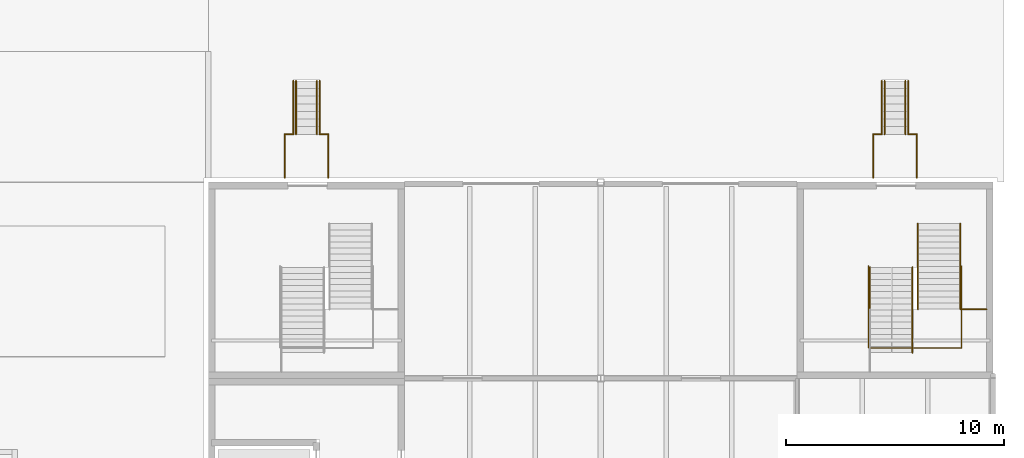
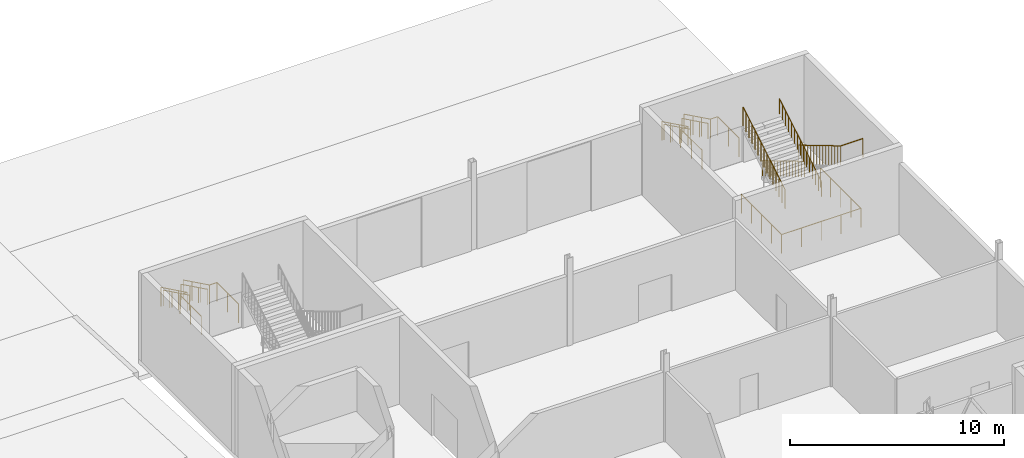
# One storey, part 62 of 63: 14 railings.
"""IFC4 building model written with IfcOpenShell, lengths in metres."""

from ifc_helpers import new_model, si_unit, direction, frame, origin, origin_2d, place, context, subcontext, project, spatial, circle, extrude, material, type_object, element, save


model = new_model("IFC4")

# Units and contexts
model_context = context("Model", 3, precision=1e-05, world=origin(), true_north=direction((0.0, 1.0)))
body_context = subcontext(model_context, "Body", "Model", "MODEL_VIEW")
ifc_project = project(units=[si_unit("LENGTHUNIT", "METRE"), si_unit("AREAUNIT", "SQUARE_METRE"), si_unit("VOLUMEUNIT", "CUBIC_METRE"), si_unit("PLANEANGLEUNIT", "RADIAN"), si_unit("MASSUNIT", "GRAM", prefix="KILO")], contexts=[model_context])

# Site, building, storey
site_placement = place(None, origin())
site = spatial("IfcSite", under=ifc_project, at=site_placement, CompositionType="ELEMENT")
building_placement = place(site_placement, origin())
building = spatial("IfcBuilding", under=site, at=building_placement, Name="Halyard Row Museum", CompositionType="ELEMENT")
storey_placement = place(building_placement, origin())
storey = spatial("IfcBuildingStorey", under=building, at=storey_placement, Name="L00", CompositionType="ELEMENT", Elevation=0.0)

# Railings
ifc_material_1 = material(Name="Steel Grade 300", Category="steel")
railing_type_1 = type_object("IfcRailingType", Name="Guard GR1 steel balustrade 1100", PredefinedType="GUARDRAIL", material=ifc_material_1)
railing_1_placement = place(storey_placement, frame((75.89990234375, 67.64990234375, -1.199951171875)))
element("IfcRailing", 1, at=railing_1_placement, inside=storey, type_object=railing_type_1, Name="Guard GR002", PredefinedType="GUARDRAIL", context=body_context, shape_type="SweptSolid", body=[
    extrude(circle(Radius=0.02392578125, at=origin_2d()), frame((0.0, 0.0, 1.076171875), z_axis=(0.0, -0.89806631535, 0.439860083702), x_axis=(1.0, 0.0, 0.0)), (0.0, 0.0, 1.0), 2.72802734375),
    extrude(circle(Radius=0.02392578125, at=origin_2d()), frame((0.0, -2.449951171875, 2.27587890625), z_axis=(-1.0, 0.0, 0.0), x_axis=(0.0, -1.0, 0.0)), (0.0, 0.0, 1.0), 0.39990234375),
    extrude(circle(Radius=0.02392578125, at=origin_2d()), frame((-0.39990234375, -2.449951171875, 2.27587890625), z_axis=(0.0, -1.0, 0.0), x_axis=(1.0, 0.0, 0.0)), (0.0, 0.0, 1.0), 2.0),
    extrude(circle(Radius=0.02099609375, at=origin_2d()), origin(), (0.0, 0.0, 1.0), 1.052001953125),
    extrude(circle(Radius=0.02099609375, at=origin_2d()), frame((0.0, -0.816650390625, 0.39990234375)), (0.0, 0.0, 1.0), 1.052001953125),
    extrude(circle(Radius=0.02099609375, at=origin_2d()), frame((0.0, -1.63330078125, 0.800048828125)), (0.0, 0.0, 1.0), 1.052001953125),
    extrude(circle(Radius=0.02099609375, at=origin_2d()), frame((0.0, -2.449951171875, 1.199951171875)), (0.0, 0.0, 1.0), 1.052001953125),
    extrude(circle(Radius=0.02099609375, at=origin_2d()), frame((-0.39990234375, -2.449951171875, 1.199951171875)), (0.0, 0.0, 1.0), 1.052001953125),
    extrude(circle(Radius=0.02099609375, at=origin_2d()), frame((-0.39990234375, -3.449951171875, 1.199951171875)), (0.0, 0.0, 1.0), 1.052001953125),
    extrude(circle(Radius=0.02099609375, at=origin_2d()), frame((-0.39990234375, -4.449951171875, 1.199951171875)), (0.0, 0.0, 1.0), 1.052001953125),
])
railing_2_placement = place(storey_placement, frame((77.10009765625, 67.64990234375, -1.199951171875)))
element("IfcRailing", 2, at=railing_2_placement, inside=storey, type_object=railing_type_1, Name="Guard GR003", PredefinedType="GUARDRAIL", context=body_context, shape_type="SweptSolid", body=[
    extrude(circle(Radius=0.02392578125, at=origin_2d()), frame((0.0, 0.0, 1.076171875), z_axis=(0.0, -0.89806631535, 0.439860083702), x_axis=(1.0, 0.0, 0.0)), (0.0, 0.0, 1.0), 2.72802734375),
    extrude(circle(Radius=0.02392578125, at=origin_2d()), frame((0.0, -2.449951171875, 2.27587890625), z_axis=(1.0, 0.0, 0.0), x_axis=(0.0, 1.0, 0.0)), (0.0, 0.0, 1.0), 0.39990234375),
    extrude(circle(Radius=0.02392578125, at=origin_2d()), frame((0.39990234375, -2.449951171875, 2.27587890625), z_axis=(0.0, -1.0, 0.0), x_axis=(1.0, 0.0, 0.0)), (0.0, 0.0, 1.0), 2.0),
    extrude(circle(Radius=0.02099609375, at=origin_2d()), origin(), (0.0, 0.0, 1.0), 1.052001953125),
    extrude(circle(Radius=0.02099609375, at=origin_2d()), frame((0.0, -0.816650390625, 0.39990234375)), (0.0, 0.0, 1.0), 1.052001953125),
    extrude(circle(Radius=0.02099609375, at=origin_2d()), frame((0.0, -1.63330078125, 0.800048828125)), (0.0, 0.0, 1.0), 1.052001953125),
    extrude(circle(Radius=0.02099609375, at=origin_2d()), frame((0.0, -2.449951171875, 1.199951171875)), (0.0, 0.0, 1.0), 1.052001953125),
    extrude(circle(Radius=0.02099609375, at=origin_2d()), frame((0.39990234375, -2.449951171875, 1.199951171875)), (0.0, 0.0, 1.0), 1.052001953125),
    extrude(circle(Radius=0.02099609375, at=origin_2d()), frame((0.39990234375, -3.449951171875, 1.199951171875)), (0.0, 0.0, 1.0), 1.052001953125),
    extrude(circle(Radius=0.02099609375, at=origin_2d()), frame((0.39990234375, -4.449951171875, 1.199951171875)), (0.0, 0.0, 1.0), 1.052001953125),
])
railing_3_placement = place(storey_placement, frame((102.89990234375, 67.64990234375, -1.199951171875)))
element("IfcRailing", 3, at=railing_3_placement, inside=storey, type_object=railing_type_1, Name="Guard GR004", PredefinedType="GUARDRAIL", context=body_context, shape_type="SweptSolid", body=[
    extrude(circle(Radius=0.02392578125, at=origin_2d()), frame((0.0, 0.0, 1.076171875), z_axis=(0.0, -0.89806631535, 0.439860083702), x_axis=(1.0, 0.0, 0.0)), (0.0, 0.0, 1.0), 2.72802734375),
    extrude(circle(Radius=0.02392578125, at=origin_2d()), frame((0.0, -2.449951171875, 2.27587890625), z_axis=(-1.0, 0.0, 0.0), x_axis=(0.0, -1.0, 0.0)), (0.0, 0.0, 1.0), 0.39990234375),
    extrude(circle(Radius=0.02392578125, at=origin_2d()), frame((-0.39990234375, -2.449951171875, 2.27587890625), z_axis=(0.0, -1.0, 0.0), x_axis=(1.0, 0.0, 0.0)), (0.0, 0.0, 1.0), 2.0),
    extrude(circle(Radius=0.02099609375, at=origin_2d()), origin(), (0.0, 0.0, 1.0), 1.052001953125),
    extrude(circle(Radius=0.02099609375, at=origin_2d()), frame((0.0, -0.816650390625, 0.39990234375)), (0.0, 0.0, 1.0), 1.052001953125),
    extrude(circle(Radius=0.02099609375, at=origin_2d()), frame((0.0, -1.63330078125, 0.800048828125)), (0.0, 0.0, 1.0), 1.052001953125),
    extrude(circle(Radius=0.02099609375, at=origin_2d()), frame((0.0, -2.449951171875, 1.199951171875)), (0.0, 0.0, 1.0), 1.052001953125),
    extrude(circle(Radius=0.02099609375, at=origin_2d()), frame((-0.39990234375, -2.449951171875, 1.199951171875)), (0.0, 0.0, 1.0), 1.052001953125),
    extrude(circle(Radius=0.02099609375, at=origin_2d()), frame((-0.39990234375, -3.449951171875, 1.199951171875)), (0.0, 0.0, 1.0), 1.052001953125),
    extrude(circle(Radius=0.02099609375, at=origin_2d()), frame((-0.39990234375, -4.449951171875, 1.199951171875)), (0.0, 0.0, 1.0), 1.052001953125),
])
railing_4_placement = place(storey_placement, frame((104.10009765625, 67.64990234375, -1.199951171875)))
element("IfcRailing", 4, at=railing_4_placement, inside=storey, type_object=railing_type_1, Name="Guard GR005", PredefinedType="GUARDRAIL", context=body_context, shape_type="SweptSolid", body=[
    extrude(circle(Radius=0.02392578125, at=origin_2d()), frame((0.0, 0.0, 1.076171875), z_axis=(0.0, -0.89806631535, 0.439860083702), x_axis=(1.0, 0.0, 0.0)), (0.0, 0.0, 1.0), 2.72802734375),
    extrude(circle(Radius=0.02392578125, at=origin_2d()), frame((0.0, -2.449951171875, 2.27587890625), z_axis=(1.0, 0.0, 0.0), x_axis=(0.0, 1.0, 0.0)), (0.0, 0.0, 1.0), 0.39990234375),
    extrude(circle(Radius=0.02392578125, at=origin_2d()), frame((0.39990234375, -2.449951171875, 2.27587890625), z_axis=(0.0, -1.0, 0.0), x_axis=(1.0, 0.0, 0.0)), (0.0, 0.0, 1.0), 2.0),
    extrude(circle(Radius=0.02099609375, at=origin_2d()), origin(), (0.0, 0.0, 1.0), 1.052001953125),
    extrude(circle(Radius=0.02099609375, at=origin_2d()), frame((0.0, -0.816650390625, 0.39990234375)), (0.0, 0.0, 1.0), 1.052001953125),
    extrude(circle(Radius=0.02099609375, at=origin_2d()), frame((0.0, -1.63330078125, 0.800048828125)), (0.0, 0.0, 1.0), 1.052001953125),
    extrude(circle(Radius=0.02099609375, at=origin_2d()), frame((0.0, -2.449951171875, 1.199951171875)), (0.0, 0.0, 1.0), 1.052001953125),
    extrude(circle(Radius=0.02099609375, at=origin_2d()), frame((0.39990234375, -2.449951171875, 1.199951171875)), (0.0, 0.0, 1.0), 1.052001953125),
    extrude(circle(Radius=0.02099609375, at=origin_2d()), frame((0.39990234375, -3.449951171875, 1.199951171875)), (0.0, 0.0, 1.0), 1.052001953125),
    extrude(circle(Radius=0.02099609375, at=origin_2d()), frame((0.39990234375, -4.449951171875, 1.199951171875)), (0.0, 0.0, 1.0), 1.052001953125),
])
ifc_material_2 = material(Name="Steel Grade 300", Category="steel")
railing_type_2 = type_object("IfcRailingType", Name="Guard GR2 steel balustrade 1100", PredefinedType="GUARDRAIL", material=ifc_material_2)
railing_5_placement = place(storey_placement, frame((106.5, 61.10009765625, 0.166748046875)))
element("IfcRailing", 5, at=railing_5_placement, inside=storey, type_object=railing_type_2, Name="Guard GR116", PredefinedType="GUARDRAIL", context=body_context, shape_type="SweptSolid", body=[
    extrude(circle(Radius=0.02392578125, at=origin_2d()), frame((0.0, 0.0, 1.076171875), z_axis=(0.0, -0.859535888021, 0.511075392877), x_axis=(1.0, 0.0, 0.0)), (0.0, 0.0, 1.0), 0.32568359375),
    extrude(circle(Radius=0.02392578125, at=origin_2d()), frame((0.0, -0.280029296875, 1.24267578125), z_axis=(0.0, -0.859206643714, 0.511628716353), x_axis=(1.0, 0.0, 0.0)), (0.0, 0.0, 1.0), 0.325927734375),
    extrude(circle(Radius=0.02392578125, at=origin_2d()), frame((0.0, -0.56005859375, 1.4091796875), z_axis=(0.0, -0.859206643714, 0.511628716353), x_axis=(1.0, 0.0, 0.0)), (0.0, 0.0, 1.0), 0.325927734375),
    extrude(circle(Radius=0.02392578125, at=origin_2d()), frame((0.0, -0.840087890625, 1.576171875), z_axis=(0.0, -0.859535888021, 0.511075392877), x_axis=(1.0, 0.0, 0.0)), (0.0, 0.0, 1.0), 0.32568359375),
    extrude(circle(Radius=0.02392578125, at=origin_2d()), frame((0.0, -1.1201171875, 1.74267578125), z_axis=(0.0, -0.859206643714, 0.511628716353), x_axis=(1.0, 0.0, 0.0)), (0.0, 0.0, 1.0), 0.325927734375),
    extrude(circle(Radius=0.02392578125, at=origin_2d()), frame((0.0, -1.400146484375, 1.9091796875), z_axis=(0.0, -0.859206643714, 0.511628716353), x_axis=(1.0, 0.0, 0.0)), (0.0, 0.0, 1.0), 0.325927734375),
    extrude(circle(Radius=0.02392578125, at=origin_2d()), frame((0.0, -1.68017578125, 2.076171875), z_axis=(0.0, -0.859535888021, 0.511075392877), x_axis=(1.0, 0.0, 0.0)), (0.0, 0.0, 1.0), 0.32568359375),
    extrude(circle(Radius=0.02392578125, at=origin_2d()), frame((0.0, -1.960205078125, 2.24267578125), z_axis=(0.0, -0.859010369412, 0.511958187006), x_axis=(1.0, 0.0, 0.0)), (0.0, 0.0, 1.0), 0.32568359375),
    extrude(circle(Radius=0.02392578125, at=origin_2d()), frame((0.0, -2.239990234375, 2.4091796875), z_axis=(0.0, -0.859206643714, 0.511628716353), x_axis=(1.0, 0.0, 0.0)), (0.0, 0.0, 1.0), 0.325927734375),
    extrude(circle(Radius=0.02392578125, at=origin_2d()), frame((0.0, -2.52001953125, 2.576171875), z_axis=(0.0, -0.859535888021, 0.511075392877), x_axis=(1.0, 0.0, 0.0)), (0.0, 0.0, 1.0), 0.32568359375),
    extrude(circle(Radius=0.02392578125, at=origin_2d()), frame((0.0, -2.800048828125, 2.74267578125), z_axis=(0.0, -0.859206643714, 0.511628716353), x_axis=(1.0, 0.0, 0.0)), (0.0, 0.0, 1.0), 0.325927734375),
    extrude(circle(Radius=0.02392578125, at=origin_2d()), frame((0.0, -3.080078125, 2.9091796875), z_axis=(0.0, -0.859206643714, 0.511628716353), x_axis=(1.0, 0.0, 0.0)), (0.0, 0.0, 1.0), 0.325927734375),
    extrude(circle(Radius=0.02392578125, at=origin_2d()), frame((0.0, -3.360107421875, 3.076171875), z_axis=(0.0, -0.859535888021, 0.511075392877), x_axis=(1.0, 0.0, 0.0)), (0.0, 0.0, 1.0), 0.32568359375),
    extrude(circle(Radius=0.02392578125, at=origin_2d()), frame((0.0, -3.64013671875, 3.24267578125), z_axis=(0.0, -0.859206643714, 0.511628716353), x_axis=(1.0, 0.0, 0.0)), (0.0, 0.0, 1.0), 0.325927734375),
    extrude(circle(Radius=0.02099609375, at=origin_2d()), origin(), (0.0, 0.0, 1.0), 1.052001953125),
    extrude(circle(Radius=0.02099609375, at=origin_2d()), frame((0.0, -0.280029296875, 0.16650390625)), (0.0, 0.0, 1.0), 1.052001953125),
    extrude(circle(Radius=0.02099609375, at=origin_2d()), frame((0.0, -0.56005859375, 0.333251953125)), (0.0, 0.0, 1.0), 1.052001953125),
    extrude(circle(Radius=0.02099609375, at=origin_2d()), frame((0.0, -0.840087890625, 0.5)), (0.0, 0.0, 1.0), 1.052001953125),
    extrude(circle(Radius=0.02099609375, at=origin_2d()), frame((0.0, -1.1201171875, 0.66650390625)), (0.0, 0.0, 1.0), 1.052001953125),
    extrude(circle(Radius=0.02099609375, at=origin_2d()), frame((0.0, -1.400146484375, 0.833251953125)), (0.0, 0.0, 1.0), 1.052001953125),
    extrude(circle(Radius=0.02099609375, at=origin_2d()), frame((0.0, -1.68017578125, 1.0)), (0.0, 0.0, 1.0), 1.052001953125),
    extrude(circle(Radius=0.02099609375, at=origin_2d()), frame((0.0, -1.960205078125, 1.16650390625)), (0.0, 0.0, 1.0), 1.052001953125),
    extrude(circle(Radius=0.02099609375, at=origin_2d()), frame((0.0, -2.239990234375, 1.333251953125)), (0.0, 0.0, 1.0), 1.052001953125),
    extrude(circle(Radius=0.02099609375, at=origin_2d()), frame((0.0, -2.52001953125, 1.5)), (0.0, 0.0, 1.0), 1.052001953125),
    extrude(circle(Radius=0.02099609375, at=origin_2d()), frame((0.0, -2.800048828125, 1.66650390625)), (0.0, 0.0, 1.0), 1.052001953125),
    extrude(circle(Radius=0.02099609375, at=origin_2d()), frame((0.0, -3.080078125, 1.833251953125)), (0.0, 0.0, 1.0), 1.052001953125),
    extrude(circle(Radius=0.02099609375, at=origin_2d()), frame((0.0, -3.360107421875, 2.0)), (0.0, 0.0, 1.0), 1.052001953125),
    extrude(circle(Radius=0.02099609375, at=origin_2d()), frame((0.0, -3.64013671875, 2.16650390625)), (0.0, 0.0, 1.0), 1.052001953125),
    extrude(circle(Radius=0.02099609375, at=origin_2d()), frame((0.0, -3.920166015625, 2.333251953125)), (0.0, 0.0, 1.0), 1.052001953125),
])
railing_6_placement = place(storey_placement, frame((102.35009765625, 55.179931640625, 2.666748046875)))
element("IfcRailing", 6, at=railing_6_placement, inside=storey, type_object=railing_type_2, Name="Guard GR117", PredefinedType="GUARDRAIL", context=body_context, shape_type="SweptSolid", body=[
    extrude(circle(Radius=0.02392578125, at=origin_2d()), frame((0.0, 0.0, 1.076171875), z_axis=(0.0, 0.859535888021, 0.511075392877), x_axis=(-1.0, 0.0, 0.0)), (0.0, 0.0, 1.0), 0.32568359375),
    extrude(circle(Radius=0.02392578125, at=origin_2d()), frame((0.0, 0.280029296875, 1.24267578125), z_axis=(0.0, 0.859206643714, 0.511628716353), x_axis=(-1.0, 0.0, 0.0)), (0.0, 0.0, 1.0), 0.325927734375),
    extrude(circle(Radius=0.02392578125, at=origin_2d()), frame((0.0, 0.56005859375, 1.4091796875), z_axis=(0.0, 0.859206643714, 0.511628716353), x_axis=(-1.0, 0.0, 0.0)), (0.0, 0.0, 1.0), 0.325927734375),
    extrude(circle(Radius=0.02392578125, at=origin_2d()), frame((0.0, 0.840087890625, 1.576171875), z_axis=(0.0, 0.859535888021, 0.511075392877), x_axis=(-1.0, 0.0, 0.0)), (0.0, 0.0, 1.0), 0.32568359375),
    extrude(circle(Radius=0.02392578125, at=origin_2d()), frame((0.0, 1.1201171875, 1.74267578125), z_axis=(0.0, 0.859206643714, 0.511628716353), x_axis=(-1.0, 0.0, 0.0)), (0.0, 0.0, 1.0), 0.325927734375),
    extrude(circle(Radius=0.02392578125, at=origin_2d()), frame((0.0, 1.400146484375, 1.9091796875), z_axis=(0.0, 0.859206643714, 0.511628716353), x_axis=(-1.0, 0.0, 0.0)), (0.0, 0.0, 1.0), 0.325927734375),
    extrude(circle(Radius=0.02392578125, at=origin_2d()), frame((0.0, 1.68017578125, 2.076171875), z_axis=(0.0, 0.859339962834, 0.511404759732), x_axis=(-1.0, 0.0, 0.0)), (0.0, 0.0, 1.0), 0.32568359375),
    extrude(circle(Radius=0.02392578125, at=origin_2d()), frame((0.0, 1.9599609375, 2.24267578125), z_axis=(0.0, 0.859206643714, 0.511628716353), x_axis=(-1.0, 0.0, 0.0)), (0.0, 0.0, 1.0), 0.325927734375),
    extrude(circle(Radius=0.02392578125, at=origin_2d()), frame((0.0, 2.239990234375, 2.4091796875), z_axis=(0.0, 0.859206643714, 0.511628716353), x_axis=(-1.0, 0.0, 0.0)), (0.0, 0.0, 1.0), 0.325927734375),
    extrude(circle(Radius=0.02392578125, at=origin_2d()), frame((0.0, 2.52001953125, 2.576171875), z_axis=(0.0, 0.859535888021, 0.511075392877), x_axis=(-1.0, 0.0, 0.0)), (0.0, 0.0, 1.0), 0.32568359375),
    extrude(circle(Radius=0.02392578125, at=origin_2d()), frame((0.0, 2.800048828125, 2.74267578125), z_axis=(0.0, 0.859206643714, 0.511628716353), x_axis=(-1.0, 0.0, 0.0)), (0.0, 0.0, 1.0), 0.325927734375),
    extrude(circle(Radius=0.02392578125, at=origin_2d()), frame((0.0, 3.080078125, 2.9091796875), z_axis=(0.0, 0.859206643714, 0.511628716353), x_axis=(-1.0, 0.0, 0.0)), (0.0, 0.0, 1.0), 0.325927734375),
    extrude(circle(Radius=0.02392578125, at=origin_2d()), frame((0.0, 3.360107421875, 3.076171875), z_axis=(0.0, 0.859535888021, 0.511075392877), x_axis=(-1.0, 0.0, 0.0)), (0.0, 0.0, 1.0), 0.32568359375),
    extrude(circle(Radius=0.02392578125, at=origin_2d()), frame((0.0, 3.64013671875, 3.24267578125), z_axis=(0.0, 0.859206643714, 0.511628716353), x_axis=(-1.0, 0.0, 0.0)), (0.0, 0.0, 1.0), 0.325927734375),
    extrude(circle(Radius=0.02099609375, at=origin_2d()), origin(), (0.0, 0.0, 1.0), 1.052001953125),
    extrude(circle(Radius=0.02099609375, at=origin_2d()), frame((0.0, 0.280029296875, 0.16650390625)), (0.0, 0.0, 1.0), 1.052001953125),
    extrude(circle(Radius=0.02099609375, at=origin_2d()), frame((0.0, 0.56005859375, 0.333251953125)), (0.0, 0.0, 1.0), 1.052001953125),
    extrude(circle(Radius=0.02099609375, at=origin_2d()), frame((0.0, 0.840087890625, 0.5)), (0.0, 0.0, 1.0), 1.052001953125),
    extrude(circle(Radius=0.02099609375, at=origin_2d()), frame((0.0, 1.1201171875, 0.66650390625)), (0.0, 0.0, 1.0), 1.052001953125),
    extrude(circle(Radius=0.02099609375, at=origin_2d()), frame((0.0, 1.400146484375, 0.833251953125)), (0.0, 0.0, 1.0), 1.052001953125),
    extrude(circle(Radius=0.02099609375, at=origin_2d()), frame((0.0, 1.68017578125, 1.0)), (0.0, 0.0, 1.0), 1.052001953125),
    extrude(circle(Radius=0.02099609375, at=origin_2d()), frame((0.0, 1.9599609375, 1.16650390625)), (0.0, 0.0, 1.0), 1.052001953125),
    extrude(circle(Radius=0.02099609375, at=origin_2d()), frame((0.0, 2.239990234375, 1.333251953125)), (0.0, 0.0, 1.0), 1.052001953125),
    extrude(circle(Radius=0.02099609375, at=origin_2d()), frame((0.0, 2.52001953125, 1.5)), (0.0, 0.0, 1.0), 1.052001953125),
    extrude(circle(Radius=0.02099609375, at=origin_2d()), frame((0.0, 2.800048828125, 1.66650390625)), (0.0, 0.0, 1.0), 1.052001953125),
    extrude(circle(Radius=0.02099609375, at=origin_2d()), frame((0.0, 3.080078125, 1.833251953125)), (0.0, 0.0, 1.0), 1.052001953125),
    extrude(circle(Radius=0.02099609375, at=origin_2d()), frame((0.0, 3.360107421875, 2.0)), (0.0, 0.0, 1.0), 1.052001953125),
    extrude(circle(Radius=0.02099609375, at=origin_2d()), frame((0.0, 3.64013671875, 2.16650390625)), (0.0, 0.0, 1.0), 1.052001953125),
    extrude(circle(Radius=0.02099609375, at=origin_2d()), frame((0.0, 3.920166015625, 2.333251953125)), (0.0, 0.0, 1.0), 1.052001953125),
])
railing_7_placement = place(storey_placement, frame((107.699951171875, 57.179931640625, 2.5)))
element("IfcRailing", 7, at=railing_7_placement, inside=storey, type_object=railing_type_2, Name="Guard GR118", PredefinedType="GUARDRAIL", context=body_context, shape_type="SweptSolid", body=[
    extrude(circle(Radius=0.02392578125, at=origin_2d()), frame((0.0, 0.0, 1.076171875), z_axis=(-1.0, 0.0, 0.0), x_axis=(0.0, -1.0, 0.0)), (0.0, 0.0, 1.0), 1.199951171875),
    extrude(circle(Radius=0.02099609375, at=origin_2d()), origin(), (0.0, 0.0, 1.0), 1.052001953125),
    extrude(circle(Radius=0.02099609375, at=origin_2d()), frame((-1.199951171875, 0.0, 0.0)), (0.0, 0.0, 1.0), 1.052001953125),
])
railing_8_placement = place(storey_placement, frame((106.56005859375, 59.159912109375, 0.0)))
element("IfcRailing", 8, at=railing_8_placement, inside=storey, type_object=railing_type_2, Name="Guard GR185", PredefinedType="GUARDRAIL", context=body_context, shape_type="SweptSolid", body=[
    extrude(circle(Radius=0.02392578125, at=origin_2d()), frame((0.0, 0.0, 1.076171875), z_axis=(0.0, -1.0, 0.0), x_axis=(1.0, 0.0, 0.0)), (0.0, 0.0, 1.0), 3.760009765625),
    extrude(circle(Radius=0.02392578125, at=origin_2d()), frame((0.0, -3.760009765625, 1.076171875), z_axis=(-1.0, 0.0, 0.0), x_axis=(0.0, -1.0, 0.0)), (0.0, 0.0, 1.0), 4.27001953125),
    extrude(circle(Radius=0.02392578125, at=origin_2d()), frame((-4.27001953125, -3.760009765625, 1.076171875), z_axis=(0.0, 1.0, 0.0), x_axis=(-1.0, 0.0, 0.0)), (0.0, 0.0, 1.0), 3.760009765625),
    extrude(circle(Radius=0.02099609375, at=origin_2d()), origin(), (0.0, 0.0, 1.0), 1.052001953125),
    extrude(circle(Radius=0.02099609375, at=origin_2d()), frame((0.0, -0.93994140625, 0.0)), (0.0, 0.0, 1.0), 1.052001953125),
    extrude(circle(Radius=0.02099609375, at=origin_2d()), frame((0.0, -1.8798828125, 0.0)), (0.0, 0.0, 1.0), 1.052001953125),
    extrude(circle(Radius=0.02099609375, at=origin_2d()), frame((0.0, -2.820068359375, 0.0)), (0.0, 0.0, 1.0), 1.052001953125),
    extrude(circle(Radius=0.02099609375, at=origin_2d()), frame((0.0, -3.760009765625, 0.0)), (0.0, 0.0, 1.0), 1.052001953125),
    extrude(circle(Radius=0.02099609375, at=origin_2d()), frame((-1.0673828125, -3.760009765625, 0.0)), (0.0, 0.0, 1.0), 1.052001953125),
    extrude(circle(Radius=0.02099609375, at=origin_2d()), frame((-2.135009765625, -3.760009765625, 0.0)), (0.0, 0.0, 1.0), 1.052001953125),
    extrude(circle(Radius=0.02099609375, at=origin_2d()), frame((-3.20263671875, -3.760009765625, 0.0)), (0.0, 0.0, 1.0), 1.052001953125),
    extrude(circle(Radius=0.02099609375, at=origin_2d()), frame((-4.27001953125, -3.760009765625, 0.0)), (0.0, 0.0, 1.0), 1.052001953125),
    extrude(circle(Radius=0.02099609375, at=origin_2d()), frame((-4.27001953125, -2.820068359375, 0.0)), (0.0, 0.0, 1.0), 1.052001953125),
    extrude(circle(Radius=0.02099609375, at=origin_2d()), frame((-4.27001953125, -1.8798828125, 0.0)), (0.0, 0.0, 1.0), 1.052001953125),
    extrude(circle(Radius=0.02099609375, at=origin_2d()), frame((-4.27001953125, -0.93994140625, 0.0)), (0.0, 0.0, 1.0), 1.052001953125),
    extrude(circle(Radius=0.02099609375, at=origin_2d()), frame((-4.27001953125, 0.0, 0.0)), (0.0, 0.0, 1.0), 1.052001953125),
])
ifc_material_3 = material(Name="Steel Grade 300", Category="steel")
railing_type_3 = type_object("IfcRailingType", Name="Handrail HR1 steel 900", PredefinedType="HANDRAIL", material=ifc_material_3)
for number, where, name in (
    (9, (76.02001953125, 67.64990234375, -1.199951171875), "Handrail HR001"),
    (10, (76.97998046875, 67.64990234375, -1.199951171875), "Handrail HR002"),
    (11, (103.02001953125, 67.64990234375, -1.199951171875), "Handrail HR003"),
    (12, (103.97998046875, 67.64990234375, -1.199951171875), "Handrail HR004"),
):
    element("IfcRailing", number, at=place(storey_placement, frame(where)), inside=storey, type_object=railing_type_3, Name=name, PredefinedType="HANDRAIL", context=body_context, shape_type="SweptSolid", body=[
        extrude(circle(Radius=0.02392578125, at=origin_2d()), frame((0.0, 0.0, 0.8759765625), z_axis=(0.0, -0.89806631535, 0.439860083702), x_axis=(1.0, 0.0, 0.0)), (0.0, 0.0, 1.0), 2.72802734375),
        extrude(circle(Radius=0.02099609375, at=origin_2d()), origin(), (0.0, 0.0, 1.0), 0.851806640625),
        extrude(circle(Radius=0.02099609375, at=origin_2d()), frame((0.0, -0.816650390625, 0.39990234375)), (0.0, 0.0, 1.0), 0.851806640625),
        extrude(circle(Radius=0.02099609375, at=origin_2d()), frame((0.0, -1.63330078125, 0.800048828125)), (0.0, 0.0, 1.0), 0.851806640625),
        extrude(circle(Radius=0.02099609375, at=origin_2d()), frame((0.0, -2.449951171875, 1.199951171875)), (0.0, 0.0, 1.0), 0.851806640625),
    ])
ifc_material_4 = material(Name="Steel Grade 300", Category="steel")
railing_type_4 = type_object("IfcRailingType", Name="Handrail HR2 steel 900", PredefinedType="HANDRAIL", material=ifc_material_4)
railing_9_placement = place(storey_placement, frame((104.550048828125, 61.10009765625, 0.166748046875)))
element("IfcRailing", 13, at=railing_9_placement, inside=storey, type_object=railing_type_4, Name="Handrail HR145", PredefinedType="HANDRAIL", context=body_context, shape_type="SweptSolid", body=[
    extrude(circle(Radius=0.02392578125, at=origin_2d()), frame((0.0, 0.0, 0.8759765625), z_axis=(0.0, -0.859535888021, 0.511075392877), x_axis=(1.0, 0.0, 0.0)), (0.0, 0.0, 1.0), 0.32568359375),
    extrude(circle(Radius=0.02392578125, at=origin_2d()), frame((0.0, -0.280029296875, 1.04248046875), z_axis=(0.0, -0.859206643714, 0.511628716353), x_axis=(1.0, 0.0, 0.0)), (0.0, 0.0, 1.0), 0.325927734375),
    extrude(circle(Radius=0.02392578125, at=origin_2d()), frame((0.0, -0.56005859375, 1.208984375), z_axis=(0.0, -0.859206643714, 0.511628716353), x_axis=(1.0, 0.0, 0.0)), (0.0, 0.0, 1.0), 0.325927734375),
    extrude(circle(Radius=0.02392578125, at=origin_2d()), frame((0.0, -0.840087890625, 1.3759765625), z_axis=(0.0, -0.859535888021, 0.511075392877), x_axis=(1.0, 0.0, 0.0)), (0.0, 0.0, 1.0), 0.32568359375),
    extrude(circle(Radius=0.02392578125, at=origin_2d()), frame((0.0, -1.1201171875, 1.54248046875), z_axis=(0.0, -0.859206643714, 0.511628716353), x_axis=(1.0, 0.0, 0.0)), (0.0, 0.0, 1.0), 0.325927734375),
    extrude(circle(Radius=0.02392578125, at=origin_2d()), frame((0.0, -1.400146484375, 1.708984375), z_axis=(0.0, -0.859206643714, 0.511628716353), x_axis=(1.0, 0.0, 0.0)), (0.0, 0.0, 1.0), 0.325927734375),
    extrude(circle(Radius=0.02392578125, at=origin_2d()), frame((0.0, -1.68017578125, 1.8759765625), z_axis=(0.0, -0.859535888021, 0.511075392877), x_axis=(1.0, 0.0, 0.0)), (0.0, 0.0, 1.0), 0.32568359375),
    extrude(circle(Radius=0.02392578125, at=origin_2d()), frame((0.0, -1.960205078125, 2.04248046875), z_axis=(0.0, -0.859010369412, 0.511958187006), x_axis=(1.0, 0.0, 0.0)), (0.0, 0.0, 1.0), 0.32568359375),
    extrude(circle(Radius=0.02392578125, at=origin_2d()), frame((0.0, -2.239990234375, 2.208984375), z_axis=(0.0, -0.859206643714, 0.511628716353), x_axis=(1.0, 0.0, 0.0)), (0.0, 0.0, 1.0), 0.325927734375),
    extrude(circle(Radius=0.02392578125, at=origin_2d()), frame((0.0, -2.52001953125, 2.3759765625), z_axis=(0.0, -0.859535888021, 0.511075392877), x_axis=(1.0, 0.0, 0.0)), (0.0, 0.0, 1.0), 0.32568359375),
    extrude(circle(Radius=0.02392578125, at=origin_2d()), frame((0.0, -2.800048828125, 2.54248046875), z_axis=(0.0, -0.859206643714, 0.511628716353), x_axis=(1.0, 0.0, 0.0)), (0.0, 0.0, 1.0), 0.325927734375),
    extrude(circle(Radius=0.02392578125, at=origin_2d()), frame((0.0, -3.080078125, 2.708984375), z_axis=(0.0, -0.859206643714, 0.511628716353), x_axis=(1.0, 0.0, 0.0)), (0.0, 0.0, 1.0), 0.325927734375),
    extrude(circle(Radius=0.02392578125, at=origin_2d()), frame((0.0, -3.360107421875, 2.8759765625), z_axis=(0.0, -0.859535888021, 0.511075392877), x_axis=(1.0, 0.0, 0.0)), (0.0, 0.0, 1.0), 0.32568359375),
    extrude(circle(Radius=0.02392578125, at=origin_2d()), frame((0.0, -3.64013671875, 3.04248046875), z_axis=(0.0, -0.859206643714, 0.511628716353), x_axis=(1.0, 0.0, 0.0)), (0.0, 0.0, 1.0), 0.325927734375),
    extrude(circle(Radius=0.02099609375, at=origin_2d()), origin(), (0.0, 0.0, 1.0), 0.851806640625),
    extrude(circle(Radius=0.02099609375, at=origin_2d()), frame((0.0, -0.280029296875, 0.16650390625)), (0.0, 0.0, 1.0), 0.851806640625),
    extrude(circle(Radius=0.02099609375, at=origin_2d()), frame((0.0, -0.56005859375, 0.333251953125)), (0.0, 0.0, 1.0), 0.851806640625),
    extrude(circle(Radius=0.02099609375, at=origin_2d()), frame((0.0, -0.840087890625, 0.5)), (0.0, 0.0, 1.0), 0.851806640625),
    extrude(circle(Radius=0.02099609375, at=origin_2d()), frame((0.0, -1.1201171875, 0.66650390625)), (0.0, 0.0, 1.0), 0.851806640625),
    extrude(circle(Radius=0.02099609375, at=origin_2d()), frame((0.0, -1.400146484375, 0.833251953125)), (0.0, 0.0, 1.0), 0.851806640625),
    extrude(circle(Radius=0.02099609375, at=origin_2d()), frame((0.0, -1.68017578125, 1.0)), (0.0, 0.0, 1.0), 0.851806640625),
    extrude(circle(Radius=0.02099609375, at=origin_2d()), frame((0.0, -1.960205078125, 1.16650390625)), (0.0, 0.0, 1.0), 0.851806640625),
    extrude(circle(Radius=0.02099609375, at=origin_2d()), frame((0.0, -2.239990234375, 1.333251953125)), (0.0, 0.0, 1.0), 0.851806640625),
    extrude(circle(Radius=0.02099609375, at=origin_2d()), frame((0.0, -2.52001953125, 1.5)), (0.0, 0.0, 1.0), 0.851806640625),
    extrude(circle(Radius=0.02099609375, at=origin_2d()), frame((0.0, -2.800048828125, 1.66650390625)), (0.0, 0.0, 1.0), 0.851806640625),
    extrude(circle(Radius=0.02099609375, at=origin_2d()), frame((0.0, -3.080078125, 1.833251953125)), (0.0, 0.0, 1.0), 0.851806640625),
    extrude(circle(Radius=0.02099609375, at=origin_2d()), frame((0.0, -3.360107421875, 2.0)), (0.0, 0.0, 1.0), 0.851806640625),
    extrude(circle(Radius=0.02099609375, at=origin_2d()), frame((0.0, -3.64013671875, 2.16650390625)), (0.0, 0.0, 1.0), 0.851806640625),
    extrude(circle(Radius=0.02099609375, at=origin_2d()), frame((0.0, -3.920166015625, 2.333251953125)), (0.0, 0.0, 1.0), 0.851806640625),
])
railing_10_placement = place(storey_placement, frame((104.300048828125, 55.179931640625, 2.666748046875)))
element("IfcRailing", 14, at=railing_10_placement, inside=storey, type_object=railing_type_4, Name="Handrail HR146", PredefinedType="HANDRAIL", context=body_context, shape_type="SweptSolid", body=[
    extrude(circle(Radius=0.02392578125, at=origin_2d()), frame((0.0, 0.0, 0.8759765625), z_axis=(0.0, 0.859535888021, 0.511075392877), x_axis=(-1.0, 0.0, 0.0)), (0.0, 0.0, 1.0), 0.32568359375),
    extrude(circle(Radius=0.02392578125, at=origin_2d()), frame((0.0, 0.280029296875, 1.04248046875), z_axis=(0.0, 0.859206643714, 0.511628716353), x_axis=(-1.0, 0.0, 0.0)), (0.0, 0.0, 1.0), 0.325927734375),
    extrude(circle(Radius=0.02392578125, at=origin_2d()), frame((0.0, 0.56005859375, 1.208984375), z_axis=(0.0, 0.859206643714, 0.511628716353), x_axis=(-1.0, 0.0, 0.0)), (0.0, 0.0, 1.0), 0.325927734375),
    extrude(circle(Radius=0.02392578125, at=origin_2d()), frame((0.0, 0.840087890625, 1.3759765625), z_axis=(0.0, 0.859535888021, 0.511075392877), x_axis=(-1.0, 0.0, 0.0)), (0.0, 0.0, 1.0), 0.32568359375),
    extrude(circle(Radius=0.02392578125, at=origin_2d()), frame((0.0, 1.1201171875, 1.54248046875), z_axis=(0.0, 0.859206643714, 0.511628716353), x_axis=(-1.0, 0.0, 0.0)), (0.0, 0.0, 1.0), 0.325927734375),
    extrude(circle(Radius=0.02392578125, at=origin_2d()), frame((0.0, 1.400146484375, 1.708984375), z_axis=(0.0, 0.859206643714, 0.511628716353), x_axis=(-1.0, 0.0, 0.0)), (0.0, 0.0, 1.0), 0.325927734375),
    extrude(circle(Radius=0.02392578125, at=origin_2d()), frame((0.0, 1.68017578125, 1.8759765625), z_axis=(0.0, 0.859339962834, 0.511404759732), x_axis=(-1.0, 0.0, 0.0)), (0.0, 0.0, 1.0), 0.32568359375),
    extrude(circle(Radius=0.02392578125, at=origin_2d()), frame((0.0, 1.9599609375, 2.04248046875), z_axis=(0.0, 0.859206643714, 0.511628716353), x_axis=(-1.0, 0.0, 0.0)), (0.0, 0.0, 1.0), 0.325927734375),
    extrude(circle(Radius=0.02392578125, at=origin_2d()), frame((0.0, 2.239990234375, 2.208984375), z_axis=(0.0, 0.859206643714, 0.511628716353), x_axis=(-1.0, 0.0, 0.0)), (0.0, 0.0, 1.0), 0.325927734375),
    extrude(circle(Radius=0.02392578125, at=origin_2d()), frame((0.0, 2.52001953125, 2.3759765625), z_axis=(0.0, 0.859535888021, 0.511075392877), x_axis=(-1.0, 0.0, 0.0)), (0.0, 0.0, 1.0), 0.32568359375),
    extrude(circle(Radius=0.02392578125, at=origin_2d()), frame((0.0, 2.800048828125, 2.54248046875), z_axis=(0.0, 0.859206643714, 0.511628716353), x_axis=(-1.0, 0.0, 0.0)), (0.0, 0.0, 1.0), 0.325927734375),
    extrude(circle(Radius=0.02392578125, at=origin_2d()), frame((0.0, 3.080078125, 2.708984375), z_axis=(0.0, 0.859206643714, 0.511628716353), x_axis=(-1.0, 0.0, 0.0)), (0.0, 0.0, 1.0), 0.325927734375),
    extrude(circle(Radius=0.02392578125, at=origin_2d()), frame((0.0, 3.360107421875, 2.8759765625), z_axis=(0.0, 0.859535888021, 0.511075392877), x_axis=(-1.0, 0.0, 0.0)), (0.0, 0.0, 1.0), 0.32568359375),
    extrude(circle(Radius=0.02392578125, at=origin_2d()), frame((0.0, 3.64013671875, 3.04248046875), z_axis=(0.0, 0.859206643714, 0.511628716353), x_axis=(-1.0, 0.0, 0.0)), (0.0, 0.0, 1.0), 0.325927734375),
    extrude(circle(Radius=0.02099609375, at=origin_2d()), origin(), (0.0, 0.0, 1.0), 0.851806640625),
    extrude(circle(Radius=0.02099609375, at=origin_2d()), frame((0.0, 0.280029296875, 0.16650390625)), (0.0, 0.0, 1.0), 0.851806640625),
    extrude(circle(Radius=0.02099609375, at=origin_2d()), frame((0.0, 0.56005859375, 0.333251953125)), (0.0, 0.0, 1.0), 0.851806640625),
    extrude(circle(Radius=0.02099609375, at=origin_2d()), frame((0.0, 0.840087890625, 0.5)), (0.0, 0.0, 1.0), 0.851806640625),
    extrude(circle(Radius=0.02099609375, at=origin_2d()), frame((0.0, 1.1201171875, 0.66650390625)), (0.0, 0.0, 1.0), 0.851806640625),
    extrude(circle(Radius=0.02099609375, at=origin_2d()), frame((0.0, 1.400146484375, 0.833251953125)), (0.0, 0.0, 1.0), 0.851806640625),
    extrude(circle(Radius=0.02099609375, at=origin_2d()), frame((0.0, 1.68017578125, 1.0)), (0.0, 0.0, 1.0), 0.851806640625),
    extrude(circle(Radius=0.02099609375, at=origin_2d()), frame((0.0, 1.9599609375, 1.16650390625)), (0.0, 0.0, 1.0), 0.851806640625),
    extrude(circle(Radius=0.02099609375, at=origin_2d()), frame((0.0, 2.239990234375, 1.333251953125)), (0.0, 0.0, 1.0), 0.851806640625),
    extrude(circle(Radius=0.02099609375, at=origin_2d()), frame((0.0, 2.52001953125, 1.5)), (0.0, 0.0, 1.0), 0.851806640625),
    extrude(circle(Radius=0.02099609375, at=origin_2d()), frame((0.0, 2.800048828125, 1.66650390625)), (0.0, 0.0, 1.0), 0.851806640625),
    extrude(circle(Radius=0.02099609375, at=origin_2d()), frame((0.0, 3.080078125, 1.833251953125)), (0.0, 0.0, 1.0), 0.851806640625),
    extrude(circle(Radius=0.02099609375, at=origin_2d()), frame((0.0, 3.360107421875, 2.0)), (0.0, 0.0, 1.0), 0.851806640625),
    extrude(circle(Radius=0.02099609375, at=origin_2d()), frame((0.0, 3.64013671875, 2.16650390625)), (0.0, 0.0, 1.0), 0.851806640625),
    extrude(circle(Radius=0.02099609375, at=origin_2d()), frame((0.0, 3.920166015625, 2.333251953125)), (0.0, 0.0, 1.0), 0.851806640625),
])

save(model, "model.ifc")
